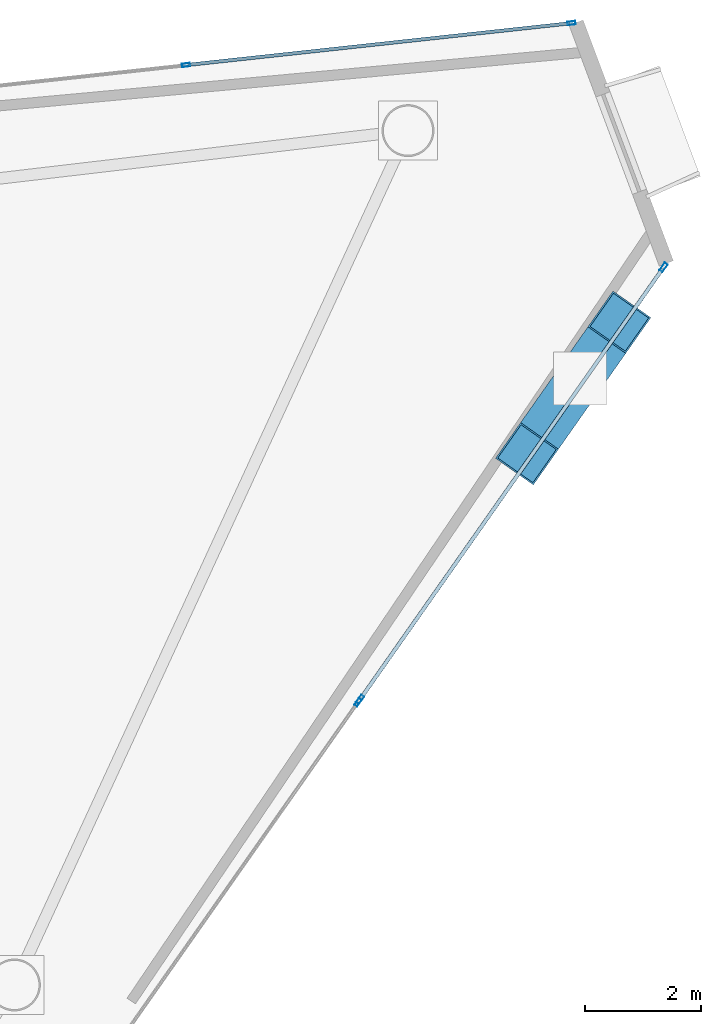
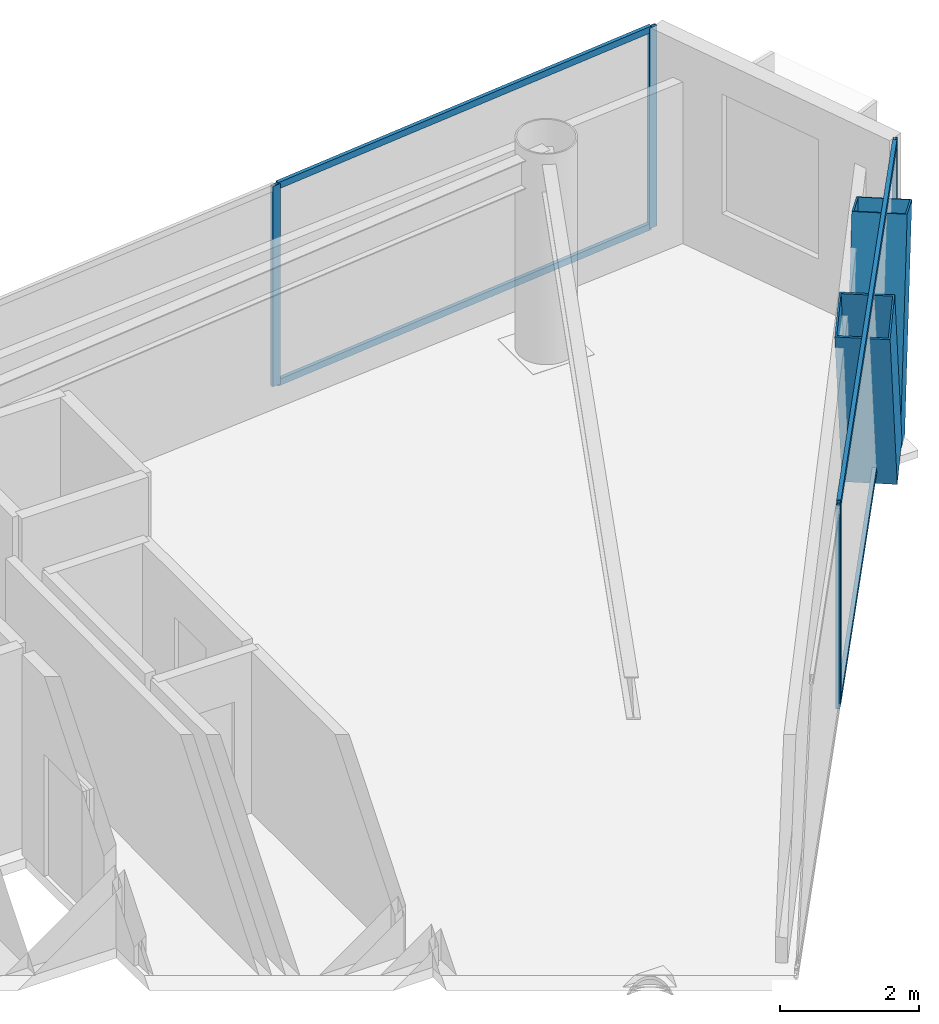
# One storey, part 13 of 19: 11 members, 3 elements without a shape of their own.
"""IFC4 building model written with IfcOpenShell, lengths in metres."""

from ifc_helpers import new_model, si_unit, direction, frame, origin, origin_2d, place, context, subcontext, project, spatial, hollow_rectangle, extrude, material, layer, layer_set, material_profile, profile_set, type_object, element, aggregate, save


model = new_model("IFC4")

# Units and contexts
model_context = context("Model", 3, precision=1e-05, world=origin(), true_north=direction((0.0, 1.0)))
body_context = subcontext(model_context, "Body", "Model", "MODEL_VIEW")
ifc_project = project(units=[si_unit("LENGTHUNIT", "METRE"), si_unit("AREAUNIT", "SQUARE_METRE"), si_unit("VOLUMEUNIT", "CUBIC_METRE"), si_unit("PLANEANGLEUNIT", "RADIAN"), si_unit("MASSUNIT", "GRAM", prefix="KILO")], contexts=[model_context])

# Site, building, storey
site_placement = place(None, origin())
site = spatial("IfcSite", under=ifc_project, at=site_placement, CompositionType="ELEMENT")
building_placement = place(site_placement, origin())
building = spatial("IfcBuilding", under=site, at=building_placement, Name="Qianvela Tower", CompositionType="ELEMENT")
storey_placement = place(building_placement, frame((0.0, 0.0, 280.60009765625)))
storey = spatial("IfcBuildingStorey", under=building, at=storey_placement, Name="L72", CompositionType="ELEMENT", Elevation=280.60009765625)

# Curtain wall, members
ifc_material_1 = material(Name="Anodised Architectural Aluminium and Insulated Spandrel Panel", Category="aluminium")
ifc_layer_1 = layer(ifc_material_1, 0.179931640625)
ifc_layer_set_1 = layer_set([ifc_layer_1], Name="Anodised Architectural Aluminium and Insulated Spandrel Panel")
curtain_wall_type_1 = type_object("IfcCurtainWallType", Name="CW-BRACEBAY", PredefinedType="USERDEFINED", material=ifc_layer_set_1)
curtain_wall_1_placement = place(storey_placement, origin())
curtain_wall_1 = element("IfcCurtainWall", 1, at=curtain_wall_1_placement, inside=storey, type_object=curtain_wall_type_1, Name="L72 CW-BRACEBAY Curtain Wall 06B", ObjectType="CURTAIN_WALL_SYSTEM", PredefinedType="USERDEFINED")
ifc_material_2 = material(Name="Anodised Architectural Aluminium 6063-T6", Category="aluminium")
ifc_material_profile_1 = material_profile(ifc_material_2, hollow_rectangle(XDim=0.06494140625, YDim=0.159912109375, WallThickness=0.0048828125, at=origin_2d()), Name="ALU-MULL-65x160")
ifc_profile_set_1 = profile_set([ifc_material_profile_1], Name="Anodised Architectural Aluminium 6063-T6")
member_type_1 = type_object("IfcMemberType", Name="CW-BRACEBAY-MULL", PredefinedType="MULLION", material=ifc_profile_set_1)
member_1_placement = place(storey_placement, frame((51.81787109375, 27.287841796875, 0.0), z_axis=(0.0, 0.0, 1.0), x_axis=(-0.81827551388, 0.574826220161, 0.0)))
member_1 = element("IfcMember", 2, at=member_1_placement, type_object=member_type_1, Name="CW-9 mullion 1", PredefinedType="MULLION", context=body_context, shape_type="SweptSolid", body=[
    extrude(hollow_rectangle(XDim=0.06494140625, YDim=0.159912109375, WallThickness=0.0048828125, at=origin_2d()), origin(), (0.0, 0.0, 1.0), 3.52001953125),
])
member_2_placement = place(storey_placement, frame((57.072509765625, 34.76806640625, 0.0), z_axis=(0.0, 0.0, 1.0), x_axis=(-0.81827551388, 0.574826220161, 0.0)))
member_2 = element("IfcMember", 3, at=member_2_placement, type_object=member_type_1, Name="CW-9 mullion 2", PredefinedType="MULLION", context=body_context, shape_type="SweptSolid", body=[
    extrude(hollow_rectangle(XDim=0.06494140625, YDim=0.159912109375, WallThickness=0.0048828125, at=origin_2d()), origin(), (0.0, 0.0, 1.0), 3.52001953125),
])
ifc_material_3 = material(Name="Anodised Architectural Aluminium 6063-T6", Category="aluminium")
ifc_material_profile_2 = material_profile(ifc_material_3, hollow_rectangle(XDim=0.06494140625, YDim=0.1298828125, WallThickness=0.00439453125, at=origin_2d()), Name="ALU-TRAN-65x130")
ifc_profile_set_2 = profile_set([ifc_material_profile_2], Name="Anodised Architectural Aluminium 6063-T6")
member_type_2 = type_object("IfcMemberType", Name="CW-BRACEBAY-TRAN", PredefinedType="USERDEFINED", material=ifc_profile_set_2)
member_3_placement = place(storey_placement, frame((51.83642578125, 27.314453125, 0.032470703125), z_axis=(0.574838932291, 0.818266583652, 0.0), x_axis=(-0.818266583652, 0.574838932291, 0.0)))
member_3 = element("IfcMember", 4, at=member_3_placement, type_object=member_type_2, Name="CW-9 transom 1.1", ObjectType="TRANSOM", PredefinedType="USERDEFINED", context=body_context, shape_type="SweptSolid", body=[
    extrude(hollow_rectangle(XDim=0.06494140625, YDim=0.1298828125, WallThickness=0.00439453125, at=origin_2d()), origin(), (0.0, 0.0, 1.0), 9.076416015625),
])
member_4_placement = place(storey_placement, frame((51.83642578125, 27.314453125, 3.4873046875), z_axis=(0.574838932291, 0.818266583652, 0.0), x_axis=(-0.818266583652, 0.574838932291, 0.0)))
member_4 = element("IfcMember", 5, at=member_4_placement, type_object=member_type_2, Name="CW-9 transom 1.2", ObjectType="TRANSOM", PredefinedType="USERDEFINED", context=body_context, shape_type="SweptSolid", body=[
    extrude(hollow_rectangle(XDim=0.06494140625, YDim=0.1298828125, WallThickness=0.00439453125, at=origin_2d()), origin(), (0.0, 0.0, 1.0), 9.076416015625),
])
aggregate(curtain_wall_1, [member_1, member_2, member_3, member_4])

ifc_material_4 = material(Name="Anodised Architectural Aluminium and Low-E Glass", Category="aluminium")
ifc_layer_2 = layer(ifc_material_4, 0.14990234375)
ifc_layer_set_2 = layer_set([ifc_layer_2], Name="Anodised Architectural Aluminium and Low-E Glass")
curtain_wall_type_2 = type_object("IfcCurtainWallType", Name="CW-COLIV-Z78", PredefinedType="USERDEFINED", material=ifc_layer_set_2)
curtain_wall_2_placement = place(storey_placement, origin())
curtain_wall_2 = element("IfcCurtainWall", 6, at=curtain_wall_2_placement, inside=storey, type_object=curtain_wall_type_2, Name="L72 CW-COLIV-Z78 Curtain Wall 02A", ObjectType="CURTAIN_WALL_SYSTEM", PredefinedType="USERDEFINED")
ifc_material_5 = material(Name="Anodised Architectural Aluminium 6063-T6", Category="aluminium")
ifc_material_profile_3 = material_profile(ifc_material_5, hollow_rectangle(XDim=0.06005859375, YDim=0.139892578125, WallThickness=0.00439453125, at=origin_2d()), Name="ALU-MULL-60x140")
ifc_profile_set_3 = profile_set([ifc_material_profile_3], Name="Anodised Architectural Aluminium 6063-T6")
member_type_3 = type_object("IfcMemberType", Name="CW-COLIV-Z78-MULL", PredefinedType="MULLION", material=ifc_profile_set_3)
member_5_placement = place(storey_placement, frame((55.478759765625, 38.99560546875, 0.0), z_axis=(0.0, 0.0, 1.0), x_axis=(0.108120123252, -0.994137836996, 0.0)))
member_5 = element("IfcMember", 7, at=member_5_placement, type_object=member_type_3, Name="CW-6 mullion 1", PredefinedType="MULLION", context=body_context, shape_type="SweptSolid", body=[
    extrude(hollow_rectangle(XDim=0.06005859375, YDim=0.139892578125, WallThickness=0.00439453125, at=origin_2d()), origin(), (0.0, 0.0, 1.0), 3.52001953125),
])
member_6_placement = place(storey_placement, frame((48.805419921875, 38.27001953125, 0.0), z_axis=(0.0, 0.0, 1.0), x_axis=(0.108120123252, -0.994137836996, 0.0)))
member_6 = element("IfcMember", 8, at=member_6_placement, type_object=member_type_3, Name="CW-6 mullion 2", PredefinedType="MULLION", context=body_context, shape_type="SweptSolid", body=[
    extrude(hollow_rectangle(XDim=0.06005859375, YDim=0.139892578125, WallThickness=0.00439453125, at=origin_2d()), origin(), (0.0, 0.0, 1.0), 3.52001953125),
])

# Curtain wall, member
curtain_wall_3_placement = place(storey_placement, origin())
curtain_wall_3 = element("IfcCurtainWall", 9, at=curtain_wall_3_placement, inside=storey, type_object=curtain_wall_type_2, Name="L72 CW-COLIV-Z78 Curtain Wall 06A", ObjectType="CURTAIN_WALL_SYSTEM", PredefinedType="USERDEFINED")
member_7_placement = place(storey_placement, frame((51.78173828125, 27.23681640625, 0.0), z_axis=(0.0, 0.0, 1.0), x_axis=(-0.818279655571, 0.574820324344, 0.0)))
member_7 = element("IfcMember", 10, at=member_7_placement, type_object=member_type_3, Name="CW-6 mullion 4", PredefinedType="MULLION", context=body_context, shape_type="SweptSolid", body=[
    extrude(hollow_rectangle(XDim=0.06005859375, YDim=0.139892578125, WallThickness=0.00439453125, at=origin_2d()), origin(), (0.0, 0.0, 1.0), 3.52001953125),
])
aggregate(curtain_wall_3, [member_7])

# Member
ifc_material_6 = material(Name="Anodised Architectural Aluminium 6063-T6", Category="aluminium")
ifc_material_profile_4 = material_profile(ifc_material_6, hollow_rectangle(XDim=0.06005859375, YDim=0.114990234375, WallThickness=0.00390625, at=origin_2d()), Name="ALU-TRAN-60x115")
ifc_profile_set_4 = profile_set([ifc_material_profile_4], Name="Anodised Architectural Aluminium 6063-T6")
member_type_4 = type_object("IfcMemberType", Name="CW-COLIV-Z78-TRAN", PredefinedType="USERDEFINED", material=ifc_profile_set_4)
member_8_placement = place(storey_placement, frame((55.44873046875, 38.992431640625, 0.02978515625), z_axis=(-0.99413794743, -0.108119107838, 0.0), x_axis=(0.108119107838, -0.99413794743, 0.0)))
member_8 = element("IfcMember", 11, at=member_8_placement, type_object=member_type_4, Name="CW-6 transom 1.1", ObjectType="TRANSOM", PredefinedType="USERDEFINED", context=body_context, shape_type="SweptSolid", body=[
    extrude(hollow_rectangle(XDim=0.06005859375, YDim=0.114990234375, WallThickness=0.00390625, at=origin_2d()), origin(), (0.0, 0.0, 1.0), 6.65234375),
])

member_9_placement = place(storey_placement, frame((55.44873046875, 38.992431640625, 3.489990234375), z_axis=(-0.99413794743, -0.108119107838, 0.0), x_axis=(0.108119107838, -0.99413794743, 0.0)))
member_9 = element("IfcMember", 12, at=member_9_placement, type_object=member_type_4, Name="CW-6 transom 1.2", ObjectType="TRANSOM", PredefinedType="USERDEFINED", context=body_context, shape_type="SweptSolid", body=[
    extrude(hollow_rectangle(XDim=0.06005859375, YDim=0.114990234375, WallThickness=0.00390625, at=origin_2d()), origin(), (0.0, 0.0, 1.0), 6.65234375),
])

aggregate(curtain_wall_2, [member_5, member_6, member_8, member_9])

# Members
ifc_material_7 = material(Name="Steel Q420GJC", Category="steel")
ifc_material_profile_5 = material_profile(ifc_material_7, hollow_rectangle(XDim=0.800048828125, YDim=0.800048828125, WallThickness=0.028076171875, at=origin_2d()), Name="MBOX-800x800x28")
ifc_profile_set_5 = profile_set([ifc_material_profile_5], Name="Steel Q420GJC")
member_type_5 = type_object("IfcMemberType", Name="MBR-MBRACE-800", PredefinedType="BRACE", material=ifc_profile_set_5)
for number, where, z_axis, x_axis, name in (
    (13, (55.381103515625, 32.49951171875, -0.14013671875), (-0.189262796634, -0.269375122957, 0.944254540334), (0.818231461504, -0.574888924406, 0.0), "L72 Tier 12 Exterior Mega-Brace F3A"),
    (14, (55.634033203125, 32.859619140625, -0.14013671875), (0.189259296421, 0.269438787977, 0.944237077355), (-0.818300359077, 0.574790850949, 0.0), "L72 Tier 12 Exterior Mega-Brace F3B"),
):
    element("IfcMember", number, at=place(storey_placement, frame(where, z_axis=z_axis, x_axis=x_axis)), inside=storey, type_object=member_type_5, Name=name, PredefinedType="BRACE", context=body_context, shape_type="SweptSolid", body=[
        extrude(hollow_rectangle(XDim=0.800048828125, YDim=0.800048828125, WallThickness=0.028076171875, at=origin_2d()), origin(), (0.0, 0.0, 1.0), 3.556396484375),
    ])

save(model, "model.ifc")
